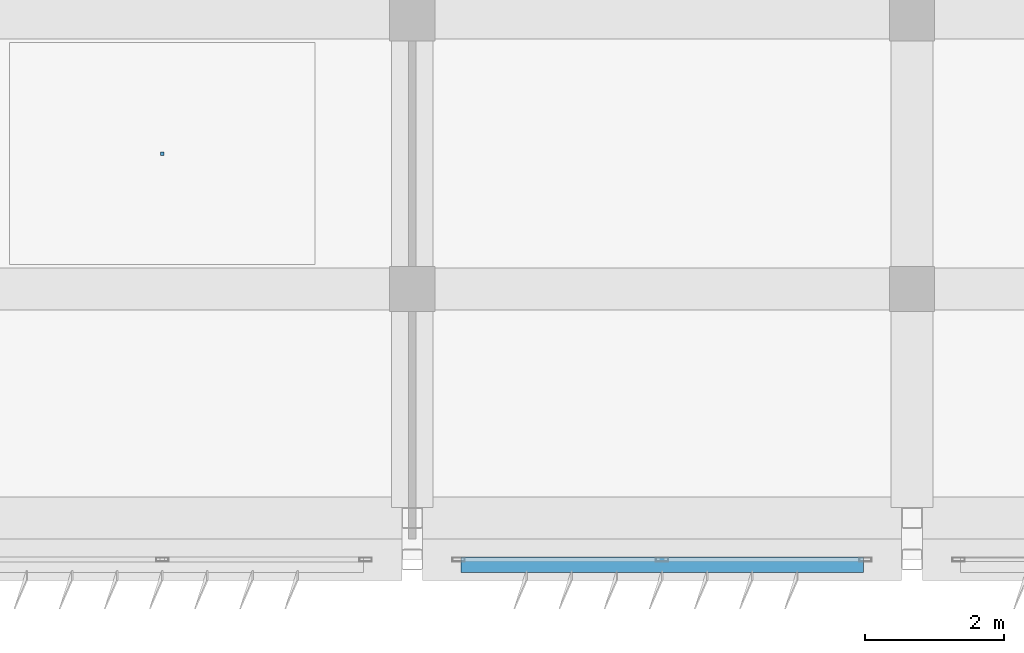
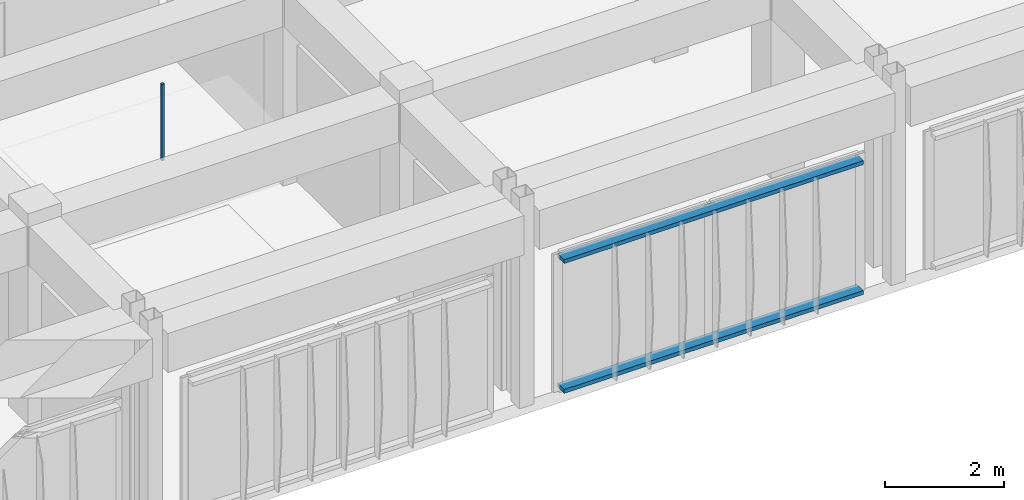
# One storey, part 39 of 53: 3 discrete accessories.
"""IFC4 building model written with IfcOpenShell, lengths in metres."""

from ifc_helpers import new_model, si_unit, direction, frame, origin, origin_2d, place, context, subcontext, project, spatial, rectangle, extrude, material, type_object, element, save


model = new_model("IFC4")

# Units and contexts
model_context = context("Model", 3, precision=1e-05, world=origin(), true_north=direction((0.0, 1.0)))
body_context = subcontext(model_context, "Body", "Model", "MODEL_VIEW")
ifc_project = project(units=[si_unit("LENGTHUNIT", "METRE"), si_unit("AREAUNIT", "SQUARE_METRE"), si_unit("VOLUMEUNIT", "CUBIC_METRE"), si_unit("PLANEANGLEUNIT", "RADIAN"), si_unit("MASSUNIT", "GRAM", prefix="KILO")], contexts=[model_context])

# Site, building, storey
site_placement = place(None, origin())
site = spatial("IfcSite", under=ifc_project, at=site_placement, CompositionType="ELEMENT")
building_placement = place(site_placement, origin())
building = spatial("IfcBuilding", under=site, at=building_placement, Name="Kazehaya Institute of Natural Sciences", CompositionType="ELEMENT")
storey_placement = place(building_placement, frame((0.0, 0.0, 33.300048828125)))
storey = spatial("IfcBuildingStorey", under=building, at=storey_placement, Name="L07", CompositionType="ELEMENT", Elevation=33.300048828125)

# Discrete accessories
ifc_material_1 = material(Name="Aluminium alloy A6063S-T5", Category="aluminium")
discrete_accessory_type_1 = type_object("IfcDiscreteAccessoryType", Name="ACC-BRK-01", PredefinedType="BRACKET", material=ifc_material_1)
for number, where, z_axis, x_axis, name in (
    (1, (94.199951171875, 6.125, 0.039794921875), (0.0, 0.0, 1.0), (-1.0, 0.0, 0.0), "L07 fin support outrigger rail 1"),
    (2, (94.199951171875, 6.125, 2.699951171875), (0.0, 0.0, 1.0), (-1.0, 0.0, 0.0), "L07 fin support outrigger rail 2"),
):
    element("IfcDiscreteAccessory", number, at=place(storey_placement, frame(where, z_axis=z_axis, x_axis=x_axis)), inside=storey, type_object=discrete_accessory_type_1, Name=name, PredefinedType="BRACKET", context=body_context, shape_type="SweptSolid", body=[
        extrude(rectangle(XDim=5.800048828125, YDim=0.219970703125, at=origin_2d()), origin(), (0.0, 0.0, 1.0), 0.080078125),
    ])
ifc_material_2 = material(Name="Structural steel SN490B", Category="steel")
discrete_accessory_type_2 = type_object("IfcDiscreteAccessoryType", Name="ACC-CLG-HGR", PredefinedType="BRACKET", material=ifc_material_2)
discrete_accessory_placement = place(storey_placement, frame((87.0, 12.050048828125, 2.67236328125), z_axis=(0.0, 0.0, 1.0), x_axis=(1.0, 0.0, 0.0)))
element("IfcDiscreteAccessory", 3, at=discrete_accessory_placement, inside=storey, type_object=discrete_accessory_type_2, Name="L07 ceiling suspension hanger 65", PredefinedType="BRACKET", context=body_context, shape_type="SweptSolid", body=[
    extrude(rectangle(XDim=0.050048828125, YDim=0.050048828125, at=origin_2d()), origin(), (0.0, 0.0, 1.0), 1.5673828125),
])

save(model, "model.ifc")
